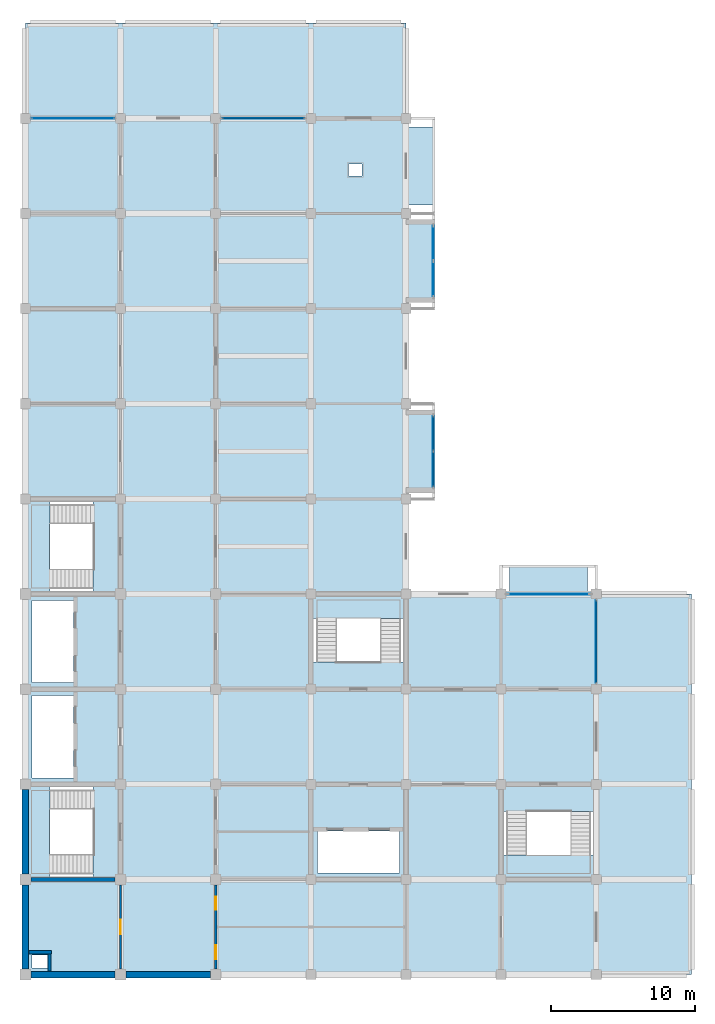
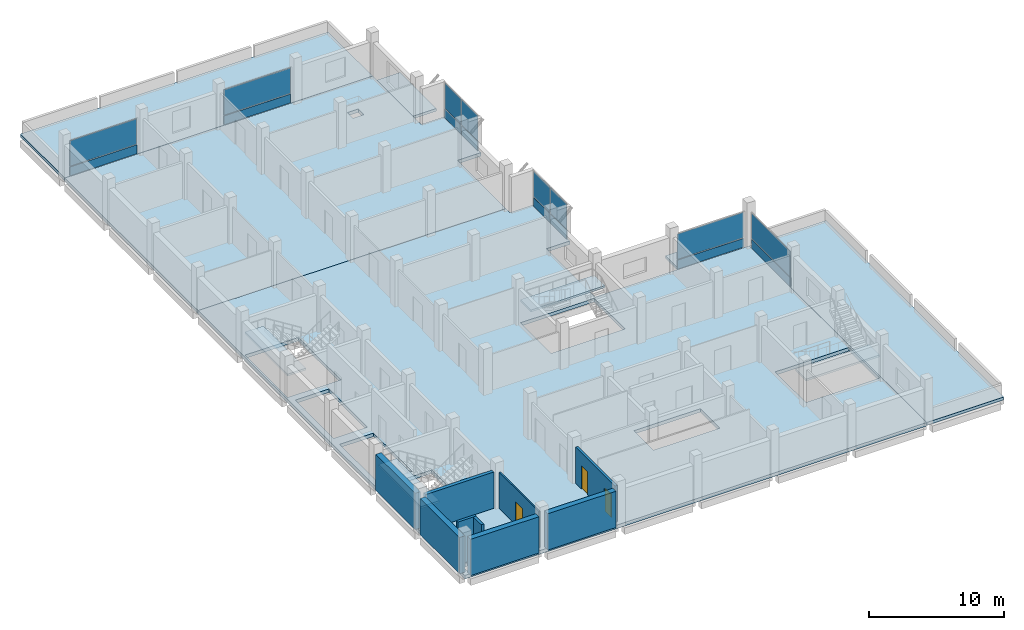
# One storey, part 5 of 10: 16 plates, 10 slabs, 9 walls, 3 doors, 3 openings, 10 elements without a shape of their own.
"""IFC4 building model written with IfcOpenShell, lengths in metres."""

import ifcopenshell
import ifcopenshell.guid

model = None  # the IFC model being written
_history = None  # IfcOwnerHistory: only IFC2X3 demands one
_inside = {}  # id of a spatial element -> (the spatial element, [elements in it])
_under = {}  # id of a project, library or spatial element -> (it, [spatial elements below it])
_declared = {}  # id of a project -> (the project, [libraries it declares])
_typed = {}  # id of a type object -> (the type object, [elements of that type])
_made_of = {}  # id of a material, layer set ... -> (it, [elements and type objects made of it])


def new_model(schema):
    """Start an empty IFC model of exactly this schema.

    Asked for "IFC4X3", IfcOpenShell would pick the latest addendum, in which some entities
    have other attributes; the version numbers below select the first issue.
    IFC2X3 requires an IfcOwnerHistory on every rooted entity: one is made here for all.
    """
    global model, _history
    if schema == "IFC4X3":
        model = ifcopenshell.file(schema_version=(4, 3, 0, 0))
    else:
        model = ifcopenshell.file(schema=schema)
    _inside.clear()
    _under.clear()
    _declared.clear()
    _typed.clear()
    _made_of.clear()
    _history = None
    if model.schema == "IFC2X3":
        org = make("IfcOrganization", Name="unknown")
        user = make(
            "IfcPersonAndOrganization",
            ThePerson=make("IfcPerson", FamilyName="unknown"),
            TheOrganization=org,
        )
        app = make(
            "IfcApplication",
            ApplicationDeveloper=org,
            Version="unknown",
            ApplicationFullName="unknown",
            ApplicationIdentifier="unknown",
        )
        _history = make(
            "IfcOwnerHistory",
            OwningUser=user,
            OwningApplication=app,
            ChangeAction="ADDED",
            CreationDate=0,
        )
    return model


def make(cls, **values):
    """One entity of the class cls with the attributes given. An attribute that is None is left unset."""
    return model.create_entity(
        cls, **{name: value for name, value in values.items() if value is not None}
    )


def rooted(cls, **values):
    """An entity with a GlobalId (a new one), such as an element, a storey or a relation."""
    return make(cls, GlobalId=ifcopenshell.guid.new(), OwnerHistory=_history, **values)


def si_unit(unit_type, name, prefix=None):
    """IfcSIUnit, for example si_unit("LENGTHUNIT", "METRE", prefix="MILLI")."""
    return make("IfcSIUnit", UnitType=unit_type, Prefix=prefix, Name=name)


def assignment(units):
    """IfcUnitAssignment: the units of a project."""
    return None if units is None else make("IfcUnitAssignment", Units=units)


def point(xyz):
    """IfcCartesianPoint."""
    return None if xyz is None else make("IfcCartesianPoint", Coordinates=xyz)


def direction(xyz):
    """IfcDirection."""
    return None if xyz is None else make("IfcDirection", DirectionRatios=xyz)


def frame(location, z_axis=None, x_axis=None):
    """IfcAxis2Placement3D, a coordinate frame: its origin and axes. An axis left out is left unset."""
    return make(
        "IfcAxis2Placement3D",
        Location=point(location),
        Axis=direction(z_axis),
        RefDirection=direction(x_axis),
    )


def frame_2d(location, x_axis=None):
    """IfcAxis2Placement2D, a coordinate frame in the plane: its origin and x axis."""
    return make(
        "IfcAxis2Placement2D", Location=point(location), RefDirection=direction(x_axis)
    )


def origin():
    """The frame at (0, 0, 0) with its axes left unset."""
    return frame((0.0, 0.0, 0.0))


def origin_2d():
    """The frame at (0, 0) in the plane with its x axis left unset."""
    return frame_2d((0.0, 0.0))


def place(relative_to, where):
    """IfcLocalPlacement: puts the frame where relative to a parent placement (None: the world)."""
    return make(
        "IfcLocalPlacement", PlacementRelTo=relative_to, RelativePlacement=where
    )


def context(
    kind, dimensions, precision=None, world=None, true_north=None, identifier=None
):
    """IfcGeometricRepresentationContext, for example the 3D "Model" context."""
    return make(
        "IfcGeometricRepresentationContext",
        ContextIdentifier=identifier,
        ContextType=kind,
        CoordinateSpaceDimension=dimensions,
        Precision=precision,
        WorldCoordinateSystem=world,
        TrueNorth=true_north,
    )


def subcontext(parent, identifier, kind, view, scale=None):
    """IfcGeometricRepresentationSubContext, for example "Body" below "Model"."""
    return make(
        "IfcGeometricRepresentationSubContext",
        ContextIdentifier=identifier,
        ContextType=kind,
        ParentContext=parent,
        TargetScale=scale,
        TargetView=view,
    )


def project(units=None, contexts=None):
    """IfcProject with its units and contexts."""
    return rooted(
        "IfcProject",
        Name="project",
        RepresentationContexts=contexts,
        UnitsInContext=assignment(units),
    )


def spatial(cls, under=None, at=None, **own):
    """A site, building, storey or space (cls), placed at a placement, below another one or the project."""
    s = rooted(cls, ObjectPlacement=at, **own)
    if under is not None:
        _under.setdefault(under.id(), (under, []))[1].append(s)
    return s


def polyline(points):
    """IfcPolyline through the points."""
    return make("IfcPolyline", Points=[point(p) for p in points])


def profile(cls, at=None, kind="AREA", **sizes):
    """A parametric profile (cls). Its sizes go by their IFC names, for example OverallWidth=200.0."""
    return make(cls, ProfileType=kind, Position=at, **sizes)


def rectangle(**sizes):
    """IfcRectangleProfileDef."""
    return profile("IfcRectangleProfileDef", **sizes)


def outline(outer, holes=None, kind="AREA"):
    """IfcArbitraryClosedProfileDef: a profile drawn as a closed curve; with holes, ...WithVoids."""
    if holes is None:
        return make("IfcArbitraryClosedProfileDef", ProfileType=kind, OuterCurve=outer)
    return make(
        "IfcArbitraryProfileDefWithVoids",
        ProfileType=kind,
        OuterCurve=outer,
        InnerCurves=holes,
    )


def extrude(swept, where, along, depth):
    """IfcExtrudedAreaSolid: the profile swept, set in the frame where, extruded along a direction by depth."""
    return make(
        "IfcExtrudedAreaSolid",
        SweptArea=swept,
        Position=where,
        ExtrudedDirection=direction(along),
        Depth=depth,
    )


def shape(context_of_items, identifier, shape_type, items):
    """IfcShapeRepresentation: the items that make up one representation, for example the "Body"."""
    return make(
        "IfcShapeRepresentation",
        ContextOfItems=context_of_items,
        RepresentationIdentifier=identifier,
        RepresentationType=shape_type,
        Items=items,
    )


def material(Name=None, Category=None):
    """IfcMaterial."""
    return make("IfcMaterial", Name=Name, Category=Category)


def layer(
    of_material, thickness, ventilated=None, Name=None, Category=None, Priority=None
):
    """IfcMaterialLayer: one layer of a wall or slab, of a material (None: an air gap)."""
    return make(
        "IfcMaterialLayer",
        Material=of_material,
        LayerThickness=thickness,
        IsVentilated=ventilated,
        Name=Name,
        Category=Category,
        Priority=Priority,
    )


def layer_set(layers, Name=None):
    """IfcMaterialLayerSet."""
    return make("IfcMaterialLayerSet", MaterialLayers=layers, LayerSetName=Name)


def made_of(thing, what):
    """Note that an element or type object is made of a material, layer set ...; save() writes the relation."""
    if what is not None:
        _made_of.setdefault(what.id(), (what, []))[1].append(thing)
    return thing


def type_object(cls, material=None, **own):
    """A type object (cls), such as IfcWallType, which elements share."""
    return made_of(rooted(cls, **own), material)


def element(
    cls,
    number,
    at=None,
    inside=None,
    cuts=None,
    type_object=None,
    material=None,
    context=None,
    identifier="Body",
    shape_type=None,
    held_by="IfcProductDefinitionShape",
    body=None,
    shapes=None,
    **own,
):
    """One element of the class cls, such as IfcWall. Its Tag is "e" and its number.

    at: its placement. inside: the storey or other place that contains it. cuts: it is an
    opening in that element (IfcRelVoidsElement). A single representation is given by context,
    identifier, shape_type and body (its items); several are given by shapes. held_by: the class
    of the entity that holds the representations. save() writes the other relations.
    """
    e = rooted(cls, Tag="e%d" % number, ObjectPlacement=at, **own)
    if body is not None:
        shapes = [shape(context, identifier, shape_type, body)]
    if shapes is not None:
        e.Representation = make(held_by, Representations=shapes)
    if inside is not None:
        _inside.setdefault(inside.id(), (inside, []))[1].append(e)
    if cuts is not None:
        rooted(
            "IfcRelVoidsElement", RelatingBuildingElement=cuts, RelatedOpeningElement=e
        )
    if type_object is not None:
        _typed.setdefault(type_object.id(), (type_object, []))[1].append(e)
    return made_of(e, material)


def fill(opening, filler):
    """IfcRelFillsElement: the door or window that sits in an opening."""
    return rooted(
        "IfcRelFillsElement",
        RelatingOpeningElement=opening,
        RelatedBuildingElement=filler,
    )


def aggregate(whole, parts):
    """IfcRelAggregates: a whole, such as a stair, and the parts it consists of."""
    return rooted("IfcRelAggregates", RelatingObject=whole, RelatedObjects=parts)


def save(model, path):
    """Write the relations noted so far, then the file.

    IfcRelAggregates (storeys below a building ...), IfcRelContainedInSpatialStructure (elements
    in a storey), IfcRelDefinesByType, IfcRelAssociatesMaterial and IfcRelDeclares: one each for
    every whole, place, type object, material and project.
    """
    for whole, parts in _under.values():
        aggregate(whole, parts)
    for where, things in _inside.values():
        rooted(
            "IfcRelContainedInSpatialStructure",
            RelatedElements=things,
            RelatingStructure=where,
        )
    for kind, things in _typed.values():
        rooted("IfcRelDefinesByType", RelatedObjects=things, RelatingType=kind)
    for what, things in _made_of.values():
        rooted("IfcRelAssociatesMaterial", RelatedObjects=things, RelatingMaterial=what)
    for by, libraries in _declared.values():
        rooted("IfcRelDeclares", RelatingContext=by, RelatedDefinitions=libraries)
    model.write(path)


model = new_model("IFC4")

# Units and contexts
model_context = context("Model", 3, precision=1e-05, world=origin(), true_north=direction((0.0, 1.0)))
body_context = subcontext(model_context, "Body", "Model", "MODEL_VIEW")
ifc_project = project(units=[si_unit("LENGTHUNIT", "METRE"), si_unit("AREAUNIT", "SQUARE_METRE"), si_unit("VOLUMEUNIT", "CUBIC_METRE"), si_unit("PLANEANGLEUNIT", "RADIAN"), si_unit("MASSUNIT", "GRAM", prefix="KILO")], contexts=[model_context])

# Site, building, storey
site_placement = place(None, origin())
site = spatial("IfcSite", under=ifc_project, at=site_placement, CompositionType="ELEMENT")
building_placement = place(site_placement, origin())
building = spatial("IfcBuilding", under=site, at=building_placement, Name="Rusizi Kubbe Research Institute", CompositionType="ELEMENT")
storey_placement = place(building_placement, frame((0.0, 0.0, 43.800048828125)))
storey = spatial("IfcBuildingStorey", under=building, at=storey_placement, Name="L10", CompositionType="ELEMENT", Elevation=43.800048828125)

# Curtain wall, plates
ifc_material_1 = material(Name="Thermally Broken Aluminium and Low-E Glazing", Category="aluminium")
curtain_wall_type_1 = type_object("IfcCurtainWallType", Name="CW-04", PredefinedType="NOTDEFINED", material=ifc_material_1)
curtain_wall_1_placement = place(storey_placement, origin())
curtain_wall_1 = element("IfcCurtainWall", 1, at=curtain_wall_1_placement, inside=storey, type_object=curtain_wall_type_1, Name="Cumba Glazed Curtain Wall CW-CUMBA-L10-112", PredefinedType="NOTDEFINED")
ifc_material_2 = material(Name="Double Low-E Solar Control Insulated Glass", Category="glass")
ifc_layer_1 = layer(ifc_material_2, 0.02392578125)
ifc_layer_set_1 = layer_set([ifc_layer_1], Name="Double Low-E Solar Control Insulated Glass")
plate_type_1 = type_object("IfcPlateType", Name="GL-01", PredefinedType="CURTAIN_PANEL", material=ifc_layer_set_1)
plate_1_placement = place(storey_placement, frame((28.300048828125, 48.260009765625, 0.9296875), z_axis=(0.0, 0.0, 1.0), x_axis=(0.0, 1.0, 0.0)))
plate_1 = element("IfcPlate", 2, at=plate_1_placement, type_object=plate_type_1, Name="CW-04 panel 1.2", PredefinedType="CURTAIN_PANEL", context=body_context, shape_type="SweptSolid", body=[
    extrude(rectangle(XDim=2.405029296875, YDim=0.02392578125, at=origin_2d()), origin(), (0.0, 0.0, 1.0), 2.300048828125),
])
plate_2_placement = place(storey_placement, frame((28.300048828125, 50.739990234375, 0.9296875), z_axis=(0.0, 0.0, 1.0), x_axis=(0.0, 1.0, 0.0)))
plate_2 = element("IfcPlate", 3, at=plate_2_placement, type_object=plate_type_1, Name="CW-04 panel 2.2", PredefinedType="CURTAIN_PANEL", context=body_context, shape_type="SweptSolid", body=[
    extrude(rectangle(XDim=2.405029296875, YDim=0.02392578125, at=origin_2d()), origin(), (0.0, 0.0, 1.0), 2.300048828125),
])

# Curtain wall, plate
ifc_material_3 = material(Name="Thermally Broken Aluminium and Low-E Glazing", Category="aluminium")
curtain_wall_type_2 = type_object("IfcCurtainWallType", Name="CW-12", PredefinedType="NOTDEFINED", material=ifc_material_3)
curtain_wall_2_placement = place(storey_placement, origin())
curtain_wall_2 = element("IfcCurtainWall", 4, at=curtain_wall_2_placement, inside=storey, type_object=curtain_wall_type_2, Name="Unitised Facade Curtain Wall CW-L10-H-05-04", PredefinedType="NOTDEFINED")
ifc_material_4 = material(Name="Double Low-E Solar Control Insulated Glass", Category="glass")
ifc_layer_2 = layer(ifc_material_4, 0.028076171875)
ifc_layer_set_2 = layer_set([ifc_layer_2], Name="Double Low-E Solar Control Insulated Glass")
plate_type_2 = type_object("IfcPlateType", Name="GL-02", PredefinedType="CURTAIN_PANEL", material=ifc_layer_set_2)
plate_3_placement = place(storey_placement, frame((36.300048828125, 26.39990234375, 0.9296875), z_axis=(0.0, 0.0, 1.0), x_axis=(1.0, 0.0, 0.0)))
plate_3 = element("IfcPlate", 5, at=plate_3_placement, type_object=plate_type_2, Name="CW-12 panel 1.2", PredefinedType="CURTAIN_PANEL", context=body_context, shape_type="SweptSolid", body=[
    extrude(rectangle(XDim=5.679931640625, YDim=0.028076171875, at=origin_2d()), origin(), (0.0, 0.0, 1.0), 2.300048828125),
])

ifc_material_5 = material(Name="Thermally Broken Aluminium and Low-E Glazing", Category="aluminium")
curtain_wall_type_3 = type_object("IfcCurtainWallType", Name="CW-13", PredefinedType="NOTDEFINED", material=ifc_material_5)
curtain_wall_3_placement = place(storey_placement, origin())
curtain_wall_3 = element("IfcCurtainWall", 6, at=curtain_wall_3_placement, inside=storey, type_object=curtain_wall_type_3, Name="Unitised Facade Curtain Wall CW-L10-V-06-03", PredefinedType="NOTDEFINED")
ifc_material_6 = material(Name="Double Low-E Solar Control Insulated Glass", Category="glass")
ifc_layer_3 = layer(ifc_material_6, 0.031982421875)
ifc_layer_set_3 = layer_set([ifc_layer_3], Name="Double Low-E Solar Control Insulated Glass")
plate_type_3 = type_object("IfcPlateType", Name="GL-03", PredefinedType="CURTAIN_PANEL", material=ifc_layer_set_3)
plate_4_placement = place(storey_placement, frame((39.60009765625, 23.10009765625, 0.932373046875), z_axis=(0.0, 0.0, 1.0), x_axis=(0.0, 1.0, 0.0)))
plate_4 = element("IfcPlate", 7, at=plate_4_placement, type_object=plate_type_3, Name="CW-13 panel 1.2", PredefinedType="CURTAIN_PANEL", context=body_context, shape_type="SweptSolid", body=[
    extrude(rectangle(XDim=5.719970703125, YDim=0.031982421875, at=origin_2d()), origin(), (0.0, 0.0, 1.0), 2.29248046875),
])

curtain_wall_4_placement = place(storey_placement, origin())
curtain_wall_4 = element("IfcCurtainWall", 8, at=curtain_wall_4_placement, inside=storey, type_object=curtain_wall_type_2, Name="Unitised Facade Curtain Wall CW-L10-H-00-09", PredefinedType="NOTDEFINED")
ifc_material_7 = material(Name="Double Low-E Solar Control Insulated Glass", Category="glass")
ifc_layer_4 = layer(ifc_material_7, 0.0439453125)
ifc_layer_set_4 = layer_set([ifc_layer_4], Name="Double Low-E Solar Control Insulated Glass")
plate_type_4 = type_object("IfcPlateType", Name="GL-06", PredefinedType="CURTAIN_PANEL", material=ifc_layer_set_4)
plate_5_placement = place(storey_placement, frame((3.300048828125, 59.39990234375, 0.9296875), z_axis=(0.0, 0.0, 1.0), x_axis=(1.0, 0.0, 0.0)))
plate_5 = element("IfcPlate", 9, at=plate_5_placement, type_object=plate_type_4, Name="CW-12 panel 1.2", PredefinedType="CURTAIN_PANEL", context=body_context, shape_type="SweptSolid", body=[
    extrude(rectangle(XDim=5.719970703125, YDim=0.0439453125, at=origin_2d()), origin(), (0.0, 0.0, 1.0), 2.300048828125),
])

curtain_wall_5_placement = place(storey_placement, origin())
curtain_wall_5 = element("IfcCurtainWall", 10, at=curtain_wall_5_placement, inside=storey, type_object=curtain_wall_type_3, Name="Unitised Facade Curtain Wall CW-L10-H-02-09", PredefinedType="NOTDEFINED")
ifc_material_8 = material(Name="Double Low-E Solar Control Insulated Glass", Category="glass")
ifc_layer_5 = layer(ifc_material_8, 0.048095703125)
ifc_layer_set_5 = layer_set([ifc_layer_5], Name="Double Low-E Solar Control Insulated Glass")
plate_type_5 = type_object("IfcPlateType", Name="GL-07", PredefinedType="CURTAIN_PANEL", material=ifc_layer_set_5)
plate_6_placement = place(storey_placement, frame((16.5, 59.39990234375, 0.932373046875), z_axis=(0.0, 0.0, 1.0), x_axis=(1.0, 0.0, 0.0)))
plate_6 = element("IfcPlate", 11, at=plate_6_placement, type_object=plate_type_5, Name="CW-13 panel 1.2", PredefinedType="CURTAIN_PANEL", context=body_context, shape_type="SweptSolid", body=[
    extrude(rectangle(XDim=5.7099609375, YDim=0.048095703125, at=origin_2d()), origin(), (0.0, 0.0, 1.0), 2.29248046875),
])

# Curtain wall, plates
curtain_wall_6_placement = place(storey_placement, origin())
curtain_wall_6 = element("IfcCurtainWall", 12, at=curtain_wall_6_placement, inside=storey, type_object=curtain_wall_type_1, Name="Cumba Glazed Curtain Wall CW-CUMBA-L10-111", PredefinedType="NOTDEFINED")
ifc_material_9 = material(Name="Double Low-E Solar Control Insulated Glass", Category="glass")
ifc_layer_6 = layer(ifc_material_9, 0.052001953125)
ifc_layer_set_6 = layer_set([ifc_layer_6], Name="Double Low-E Solar Control Insulated Glass")
plate_type_6 = type_object("IfcPlateType", Name="GL-08", PredefinedType="CURTAIN_PANEL", material=ifc_layer_set_6)
plate_7_placement = place(storey_placement, frame((28.300048828125, 35.058837890625, 0.93505859375), z_axis=(0.0, 0.0, 1.0), x_axis=(0.0, 1.0, 0.0)))
plate_7 = element("IfcPlate", 13, at=plate_7_placement, type_object=plate_type_6, Name="CW-04 panel 1.2", PredefinedType="CURTAIN_PANEL", context=body_context, shape_type="SweptSolid", body=[
    extrude(rectangle(XDim=2.41259765625, YDim=0.052001953125, at=origin_2d()), origin(), (0.0, 0.0, 1.0), 2.284912109375),
])
plate_8_placement = place(storey_placement, frame((28.300048828125, 37.541259765625, 0.93505859375), z_axis=(0.0, 0.0, 1.0), x_axis=(0.0, 1.0, 0.0)))
plate_8 = element("IfcPlate", 14, at=plate_8_placement, type_object=plate_type_6, Name="CW-04 panel 2.2", PredefinedType="CURTAIN_PANEL", context=body_context, shape_type="SweptSolid", body=[
    extrude(rectangle(XDim=2.41259765625, YDim=0.052001953125, at=origin_2d()), origin(), (0.0, 0.0, 1.0), 2.284912109375),
])

# Slabs
ifc_material_10 = material(Name="Concrete C40/50", Category="concrete")
ifc_layer_7 = layer(ifc_material_10, 0.31005859375)
ifc_layer_set_7 = layer_set([ifc_layer_7], Name="Concrete C40/50")
slab_type_1 = type_object("IfcSlabType", Name="SL-F310", PredefinedType="FLOOR", material=ifc_layer_set_7)
slab_1_placement = place(storey_placement, frame((0.0, 0.0, -0.31005859375)))
element("IfcSlab", 15, at=slab_1_placement, inside=storey, type_object=slab_type_1, Name="Structural Slab L10 CORE", PredefinedType="FLOOR", context=body_context, shape_type="SweptSolid", body=[
    extrude(outline(polyline([(0.0, 39.60009765625), (6.60009765625, 39.60009765625), (13.199951171875, 39.60009765625), (19.800048828125, 39.60009765625), (26.39990234375, 39.60009765625), (26.39990234375, 39.0), (28.39990234375, 39.0), (28.39990234375, 33.60009765625), (26.39990234375, 33.60009765625), (26.39990234375, 33.0), (26.39990234375, 26.39990234375), (33.0, 26.39990234375), (39.60009765625, 26.39990234375), (39.60009765625, 19.800048828125), (39.60009765625, 13.199951171875), (39.60009765625, 6.60009765625), (39.60009765625, 0.0), (33.0, 0.0), (26.39990234375, 0.0), (19.800048828125, 0.0), (13.199951171875, 0.0), (6.60009765625, 0.0), (0.0, 0.0), (0.0, 6.60009765625), (0.0, 13.199951171875), (0.0, 19.800048828125), (0.0, 26.39990234375), (0.0, 33.0), (0.0, 39.60009765625)]), holes=[polyline([(0.449951171875, 1.35009765625), (0.449951171875, 0.449951171875), (1.550048828125, 0.449951171875), (1.550048828125, 1.35009765625), (0.449951171875, 1.35009765625)]), polyline([(20.25, 9.949951171875), (20.25, 7.050048828125), (25.949951171875, 7.050048828125), (25.949951171875, 9.949951171875), (20.25, 9.949951171875)]), polyline([(33.139892578125, 11.300048828125), (33.139892578125, 6.739990234375), (39.4599609375, 6.739990234375), (39.4599609375, 11.300048828125), (33.139892578125, 11.300048828125)]), polyline([(0.139892578125, 13.06005859375), (0.139892578125, 6.739990234375), (4.699951171875, 6.739990234375), (4.699951171875, 13.06005859375), (0.139892578125, 13.06005859375)]), polyline([(0.449951171875, 19.35009765625), (0.449951171875, 13.64990234375), (3.35009765625, 13.64990234375), (3.35009765625, 19.35009765625), (0.449951171875, 19.35009765625)]), polyline([(0.449951171875, 25.949951171875), (0.449951171875, 20.25), (3.35009765625, 20.25), (3.35009765625, 25.949951171875), (0.449951171875, 25.949951171875)]), polyline([(19.93994140625, 26.260009765625), (19.93994140625, 21.699951171875), (26.260009765625, 21.699951171875), (26.260009765625, 26.260009765625), (19.93994140625, 26.260009765625)]), polyline([(0.139892578125, 32.860107421875), (0.139892578125, 26.5400390625), (4.699951171875, 26.5400390625), (4.699951171875, 32.860107421875), (0.139892578125, 32.860107421875)])]), origin(), (0.0, 0.0, 1.0), 0.31005859375),
])
slab_2_placement = place(storey_placement, frame((0.0, 0.0, -0.31005859375)))
element("IfcSlab", 16, at=slab_2_placement, inside=storey, type_object=slab_type_1, Name="Structural Slab L10 NORTHA", PredefinedType="FLOOR", context=body_context, shape_type="SweptSolid", body=[
    extrude(outline(polyline([(6.60009765625, 59.39990234375), (13.199951171875, 59.39990234375), (19.800048828125, 59.39990234375), (26.39990234375, 59.39990234375), (26.39990234375, 52.800048828125), (26.39990234375, 52.199951171875), (28.39990234375, 52.199951171875), (28.39990234375, 46.800048828125), (26.39990234375, 46.800048828125), (26.39990234375, 46.199951171875), (26.39990234375, 39.60009765625), (19.800048828125, 39.60009765625), (13.199951171875, 39.60009765625), (6.60009765625, 39.60009765625), (0.0, 39.60009765625), (0.0, 46.199951171875), (0.0, 52.800048828125), (0.0, 59.39990234375), (6.60009765625, 59.39990234375)]), holes=[polyline([(23.35009765625, 56.25), (22.39990234375, 56.25), (22.39990234375, 55.39990234375), (23.35009765625, 55.39990234375), (23.35009765625, 56.25)])]), origin(), (0.0, 0.0, 1.0), 0.31005859375),
])

# Stair, slab
ifc_material_11 = material(Name="Concrete C40/50", Category="concrete")
stair_type_1 = type_object("IfcStairType", Name="ST-H420A", PredefinedType="HALF_TURN_STAIR", material=ifc_material_11)
stair_1_placement = place(storey_placement, origin())
stair_1 = element("IfcStair", 17, at=stair_1_placement, inside=storey, type_object=stair_type_1, Name="Protected Exit Stair ST1 (L10)", PredefinedType="HALF_TURN_STAIR")
ifc_material_12 = material(Name="Concrete C40/50", Category="concrete")
ifc_layer_8 = layer(ifc_material_12, 0.179931640625)
ifc_layer_set_8 = layer_set([ifc_layer_8], Name="Concrete C40/50")
slab_type_2 = type_object("IfcSlabType", Name="SL-L180", PredefinedType="LANDING", material=ifc_layer_set_8)
slab_3_placement = place(storey_placement, frame((0.0, 0.0, 1.919921875)))
slab_3 = element("IfcSlab", 18, at=slab_3_placement, type_object=slab_type_2, Name="ST1 landing 1", PredefinedType="LANDING", context=body_context, shape_type="SweptSolid", body=[
    extrude(outline(polyline([(1.7060546875, 13.06005859375), (0.139892578125, 13.06005859375), (0.139892578125, 6.739990234375), (1.7060546875, 6.739990234375), (1.7060546875, 13.06005859375)])), origin(), (0.0, 0.0, 1.0), 0.179931640625),
])
aggregate(stair_1, [slab_3])

stair_2_placement = place(storey_placement, origin())
stair_2 = element("IfcStair", 19, at=stair_2_placement, inside=storey, type_object=stair_type_1, Name="Protected Exit Stair ST2 (L10)", PredefinedType="HALF_TURN_STAIR")
slab_4_placement = place(storey_placement, frame((0.0, 0.0, 1.919921875)))
slab_4 = element("IfcSlab", 20, at=slab_4_placement, type_object=slab_type_2, Name="ST2 landing 1", PredefinedType="LANDING", context=body_context, shape_type="SweptSolid", body=[
    extrude(outline(polyline([(1.7060546875, 32.860107421875), (0.139892578125, 32.860107421875), (0.139892578125, 26.5400390625), (1.7060546875, 26.5400390625), (1.7060546875, 32.860107421875)])), origin(), (0.0, 0.0, 1.0), 0.179931640625),
])
aggregate(stair_2, [slab_4])

ifc_material_13 = material(Name="Concrete C40/50", Category="concrete")
stair_type_2 = type_object("IfcStairType", Name="ST-H420B", PredefinedType="HALF_TURN_STAIR", material=ifc_material_13)
stair_3_placement = place(storey_placement, origin())
stair_3 = element("IfcStair", 21, at=stair_3_placement, inside=storey, type_object=stair_type_2, Name="Protected Exit Stair ST3 (L10)", PredefinedType="HALF_TURN_STAIR")
slab_5_placement = place(storey_placement, frame((0.0, 0.0, 1.919921875)))
slab_5 = element("IfcSlab", 22, at=slab_5_placement, type_object=slab_type_2, Name="ST3 landing 1", PredefinedType="LANDING", context=body_context, shape_type="SweptSolid", body=[
    extrude(outline(polyline([(26.260009765625, 24.694091796875), (26.260009765625, 26.260009765625), (19.93994140625, 26.260009765625), (19.93994140625, 24.694091796875), (26.260009765625, 24.694091796875)])), origin(), (0.0, 0.0, 1.0), 0.179931640625),
])
aggregate(stair_3, [slab_5])

stair_4_placement = place(storey_placement, origin())
stair_4 = element("IfcStair", 23, at=stair_4_placement, inside=storey, type_object=stair_type_2, Name="Protected Exit Stair ST4 (L10)", PredefinedType="HALF_TURN_STAIR")
slab_6_placement = place(storey_placement, frame((0.0, 0.0, 1.919921875)))
slab_6 = element("IfcSlab", 24, at=slab_6_placement, type_object=slab_type_2, Name="ST4 landing 1", PredefinedType="LANDING", context=body_context, shape_type="SweptSolid", body=[
    extrude(outline(polyline([(33.139892578125, 8.305908203125), (33.139892578125, 6.739990234375), (39.4599609375, 6.739990234375), (39.4599609375, 8.305908203125), (33.139892578125, 8.305908203125)])), origin(), (0.0, 0.0, 1.0), 0.179931640625),
])
aggregate(stair_4, [slab_6])

# Slabs
ifc_material_14 = material(Name="Concrete C40/50", Category="concrete")
ifc_layer_9 = layer(ifc_material_14, 0.235107421875)
ifc_layer_set_9 = layer_set([ifc_layer_9], Name="Concrete C40/50")
slab_type_3 = type_object("IfcSlabType", Name="SL-R235", PredefinedType="ROOF", material=ifc_layer_set_9)
slab_7_placement = place(storey_placement, frame((0.0, 0.0, -0.235107421875)))
element("IfcSlab", 25, at=slab_7_placement, inside=storey, type_object=slab_type_3, Name="Cumba Oriel Roof Cap L09 (4,8)", PredefinedType="ROOF", context=body_context, shape_type="SweptSolid", body=[
    extrude(outline(polyline([(26.39990234375, 53.39990234375), (28.39990234375, 53.39990234375), (28.39990234375, 58.800048828125), (26.39990234375, 58.800048828125), (26.39990234375, 53.39990234375)])), origin(), (0.0, 0.0, 1.0), 0.235107421875),
])
slab_8_placement = place(storey_placement, frame((0.0, 0.0, -0.235107421875)))
element("IfcSlab", 26, at=slab_8_placement, inside=storey, type_object=slab_type_3, Name="Cumba Oriel Roof Cap L09 (5,4)", PredefinedType="ROOF", context=body_context, shape_type="SweptSolid", body=[
    extrude(outline(polyline([(33.60009765625, 26.39990234375), (39.0, 26.39990234375), (39.0, 28.39990234375), (33.60009765625, 28.39990234375), (33.60009765625, 26.39990234375)])), origin(), (0.0, 0.0, 1.0), 0.235107421875),
])
ifc_material_15 = material(Name="Concrete C40/50", Category="concrete")
ifc_layer_10 = layer(ifc_material_15, 0.260009765625)
ifc_layer_set_10 = layer_set([ifc_layer_10], Name="Concrete C40/50")
slab_type_4 = type_object("IfcSlabType", Name="SL-R260", PredefinedType="ROOF", material=ifc_layer_set_10)
slab_9_placement = place(storey_placement, frame((0.0, 0.0, -0.260009765625)))
element("IfcSlab", 27, at=slab_9_placement, inside=storey, type_object=slab_type_4, Name="Stepback Maintenance Roof Slab L10-1", PredefinedType="ROOF", context=body_context, shape_type="SweptSolid", body=[
    extrude(outline(polyline([(46.199951171875, 26.39990234375), (46.199951171875, 19.800048828125), (46.199951171875, 13.199951171875), (46.199951171875, 6.60009765625), (46.199951171875, 0.0), (39.60498046875, 0.0), (39.60498046875, 26.39990234375), (46.199951171875, 26.39990234375)])), origin(), (0.0, 0.0, 1.0), 0.260009765625),
])
slab_10_placement = place(storey_placement, frame((0.0, 0.0, -0.260009765625)))
element("IfcSlab", 28, at=slab_10_placement, inside=storey, type_object=slab_type_4, Name="Stepback Maintenance Roof Slab L10-2", PredefinedType="ROOF", context=body_context, shape_type="SweptSolid", body=[
    extrude(outline(polyline([(13.199951171875, 66.0), (19.800048828125, 66.0), (26.39990234375, 66.0), (26.39990234375, 59.405029296875), (0.0, 59.405029296875), (0.0, 66.0), (6.60009765625, 66.0), (13.199951171875, 66.0)])), origin(), (0.0, 0.0, 1.0), 0.260009765625),
])

# Plate
ifc_material_16 = material(Name="Ceramic-Frit Insulated Spandrel Panel", Category="glass")
ifc_layer_11 = layer(ifc_material_16, 0.05810546875)
ifc_layer_set_11 = layer_set([ifc_layer_11], Name="Ceramic-Frit Insulated Spandrel Panel")
plate_type_7 = type_object("IfcPlateType", Name="SP-01", PredefinedType="CURTAIN_PANEL", material=ifc_layer_set_11)
plate_9_placement = place(storey_placement, frame((28.300048828125, 48.260009765625, 0.059814453125), z_axis=(0.0, 0.0, 1.0), x_axis=(0.0, 1.0, 0.0)))
plate_9 = element("IfcPlate", 29, at=plate_9_placement, type_object=plate_type_7, Name="CW-04 panel 1.1", PredefinedType="CURTAIN_PANEL", context=body_context, shape_type="SweptSolid", body=[
    extrude(rectangle(XDim=2.405029296875, YDim=0.05810546875, at=origin_2d()), origin(), (0.0, 0.0, 1.0), 0.81005859375),
])

plate_10_placement = place(storey_placement, frame((28.300048828125, 50.739990234375, 0.059814453125), z_axis=(0.0, 0.0, 1.0), x_axis=(0.0, 1.0, 0.0)))
plate_10 = element("IfcPlate", 30, at=plate_10_placement, type_object=plate_type_7, Name="CW-04 panel 2.1", PredefinedType="CURTAIN_PANEL", context=body_context, shape_type="SweptSolid", body=[
    extrude(rectangle(XDim=2.405029296875, YDim=0.05810546875, at=origin_2d()), origin(), (0.0, 0.0, 1.0), 0.81005859375),
])

aggregate(curtain_wall_1, [plate_9, plate_1, plate_10, plate_2])

ifc_material_17 = material(Name="Ceramic-Frit Insulated Spandrel Panel", Category="glass")
ifc_layer_12 = layer(ifc_material_17, 0.06396484375)
ifc_layer_set_12 = layer_set([ifc_layer_12], Name="Ceramic-Frit Insulated Spandrel Panel")
plate_type_8 = type_object("IfcPlateType", Name="SP-02", PredefinedType="CURTAIN_PANEL", material=ifc_layer_set_12)
plate_11_placement = place(storey_placement, frame((3.300048828125, 59.39990234375, 0.059814453125), z_axis=(0.0, 0.0, 1.0), x_axis=(1.0, 0.0, 0.0)))
plate_11 = element("IfcPlate", 31, at=plate_11_placement, type_object=plate_type_8, Name="CW-12 panel 1.1", PredefinedType="CURTAIN_PANEL", context=body_context, shape_type="SweptSolid", body=[
    extrude(rectangle(XDim=5.719970703125, YDim=0.06396484375, at=origin_2d()), origin(), (0.0, 0.0, 1.0), 0.81005859375),
])

aggregate(curtain_wall_4, [plate_11, plate_5])

plate_12_placement = place(storey_placement, frame((36.300048828125, 26.39990234375, 0.059814453125), z_axis=(0.0, 0.0, 1.0), x_axis=(1.0, 0.0, 0.0)))
plate_12 = element("IfcPlate", 32, at=plate_12_placement, type_object=plate_type_8, Name="CW-12 panel 1.1", PredefinedType="CURTAIN_PANEL", context=body_context, shape_type="SweptSolid", body=[
    extrude(rectangle(XDim=5.679931640625, YDim=0.06396484375, at=origin_2d()), origin(), (0.0, 0.0, 1.0), 0.81005859375),
])

aggregate(curtain_wall_2, [plate_12, plate_3])

ifc_material_18 = material(Name="Ceramic-Frit Insulated Spandrel Panel", Category="glass")
ifc_layer_13 = layer(ifc_material_18, 0.070068359375)
ifc_layer_set_13 = layer_set([ifc_layer_13], Name="Ceramic-Frit Insulated Spandrel Panel")
plate_type_9 = type_object("IfcPlateType", Name="SP-03", PredefinedType="CURTAIN_PANEL", material=ifc_layer_set_13)
plate_13_placement = place(storey_placement, frame((16.5, 59.39990234375, 0.06494140625), z_axis=(0.0, 0.0, 1.0), x_axis=(1.0, 0.0, 0.0)))
plate_13 = element("IfcPlate", 33, at=plate_13_placement, type_object=plate_type_9, Name="CW-13 panel 1.1", PredefinedType="CURTAIN_PANEL", context=body_context, shape_type="SweptSolid", body=[
    extrude(rectangle(XDim=5.7099609375, YDim=0.070068359375, at=origin_2d()), origin(), (0.0, 0.0, 1.0), 0.802490234375),
])

aggregate(curtain_wall_5, [plate_13, plate_6])

plate_14_placement = place(storey_placement, frame((39.60009765625, 23.10009765625, 0.06494140625), z_axis=(0.0, 0.0, 1.0), x_axis=(0.0, 1.0, 0.0)))
plate_14 = element("IfcPlate", 34, at=plate_14_placement, type_object=plate_type_9, Name="CW-13 panel 1.1", PredefinedType="CURTAIN_PANEL", context=body_context, shape_type="SweptSolid", body=[
    extrude(rectangle(XDim=5.719970703125, YDim=0.070068359375, at=origin_2d()), origin(), (0.0, 0.0, 1.0), 0.802490234375),
])

aggregate(curtain_wall_3, [plate_14, plate_4])

ifc_material_19 = material(Name="Ceramic-Frit Insulated Spandrel Panel", Category="glass")
ifc_layer_14 = layer(ifc_material_19, 0.075927734375)
ifc_layer_set_14 = layer_set([ifc_layer_14], Name="Ceramic-Frit Insulated Spandrel Panel")
plate_type_10 = type_object("IfcPlateType", Name="SP-04", PredefinedType="CURTAIN_PANEL", material=ifc_layer_set_14)
plate_15_placement = place(storey_placement, frame((28.300048828125, 35.058837890625, 0.070068359375), z_axis=(0.0, 0.0, 1.0), x_axis=(0.0, 1.0, 0.0)))
plate_15 = element("IfcPlate", 35, at=plate_15_placement, type_object=plate_type_10, Name="CW-04 panel 1.1", PredefinedType="CURTAIN_PANEL", context=body_context, shape_type="SweptSolid", body=[
    extrude(rectangle(XDim=2.41259765625, YDim=0.075927734375, at=origin_2d()), origin(), (0.0, 0.0, 1.0), 0.794921875),
])

plate_16_placement = place(storey_placement, frame((28.300048828125, 37.541259765625, 0.070068359375), z_axis=(0.0, 0.0, 1.0), x_axis=(0.0, 1.0, 0.0)))
plate_16 = element("IfcPlate", 36, at=plate_16_placement, type_object=plate_type_10, Name="CW-04 panel 2.1", PredefinedType="CURTAIN_PANEL", context=body_context, shape_type="SweptSolid", body=[
    extrude(rectangle(XDim=2.41259765625, YDim=0.075927734375, at=origin_2d()), origin(), (0.0, 0.0, 1.0), 0.794921875),
])

aggregate(curtain_wall_6, [plate_15, plate_7, plate_16, plate_8])

# Walls
ifc_material_20 = material(Name="Concrete C40/50", Category="concrete")
ifc_layer_15 = layer(ifc_material_20, 0.294921875)
ifc_layer_set_15 = layer_set([ifc_layer_15], Name="Concrete C40/50")
wall_type_1 = type_object("IfcWallType", Name="CRW-03", PredefinedType="SHEAR", material=ifc_layer_set_15)
wall_1_placement = place(storey_placement, frame((0.375, 6.60009765625, 0.0), z_axis=(0.0, 0.0, 1.0), x_axis=(1.0, 0.0, 0.0)))
element("IfcWall", 37, at=wall_1_placement, inside=storey, type_object=wall_type_1, Name="Stair Core Shear Wall ST1 L10 S", PredefinedType="SHEAR", context=body_context, shape_type="SweptSolid", body=[
    extrude(rectangle(XDim=5.85009765625, YDim=0.294921875, at=frame_2d((2.925048828125, 0.0))), origin(), (0.0, 0.0, 1.0), 3.2900390625),
])
ifc_material_21 = material(Name="Concrete Blockwork Fire Partition", Category="masonry")
ifc_layer_16 = layer(ifc_material_21, 0.22509765625)
ifc_layer_set_16 = layer_set([ifc_layer_16], Name="Concrete Blockwork Fire Partition")
wall_type_2 = type_object("IfcWallType", Name="IW-01", PredefinedType="PARTITIONING", material=ifc_layer_set_16)
wall_2_placement = place(storey_placement, frame((1.679931640625, 0.260009765625, 0.0), z_axis=(0.0, 0.0, 1.0), x_axis=(0.0, 1.0, 0.0)))
element("IfcWall", 38, at=wall_2_placement, inside=storey, type_object=wall_type_2, Name="Riser Shaft Wall E L10", PredefinedType="PARTITIONING", context=body_context, shape_type="SweptSolid", body=[
    extrude(rectangle(XDim=1.169921875, YDim=0.22509765625, at=frame_2d((0.5849609375, 0.0))), origin(), (0.0, 0.0, 1.0), 3.889892578125),
])
wall_3_placement = place(storey_placement, frame((0.260009765625, 1.550048828125, 0.0), z_axis=(0.0, 0.0, 1.0), x_axis=(1.0, 0.0, 0.0)))
element("IfcWall", 39, at=wall_3_placement, inside=storey, type_object=wall_type_2, Name="Riser Shaft Wall N L10", PredefinedType="PARTITIONING", context=body_context, shape_type="SweptSolid", body=[
    extrude(rectangle(XDim=1.5400390625, YDim=0.22509765625, at=frame_2d((0.77001953125, 0.0))), origin(), (0.0, 0.0, 1.0), 3.889892578125),
])

# Wall, openings, doors
ifc_material_22 = material(Name="Insulated Cleanroom Partition", Category="masonry")
ifc_layer_17 = layer(ifc_material_22, 0.195068359375)
ifc_layer_set_17 = layer_set([ifc_layer_17], Name="Insulated Cleanroom Partition")
wall_type_3 = type_object("IfcWallType", Name="IW-02", PredefinedType="PARTITIONING", material=ifc_layer_set_17)
wall_4_placement = place(storey_placement, frame((13.199951171875, 0.375, 0.0), z_axis=(0.0, 0.0, 1.0), x_axis=(0.0, 1.0, 0.0)))
wall_4 = element("IfcWall", 40, at=wall_4_placement, inside=storey, type_object=wall_type_3, Name="Sanitary Core West Corridor Wall L10", PredefinedType="PARTITIONING", context=body_context, shape_type="SweptSolid", body=[
    extrude(rectangle(XDim=5.85009765625, YDim=0.195068359375, at=frame_2d((2.925048828125, 0.0))), origin(), (0.0, 0.0, 1.0), 3.2900390625),
])
opening_1_placement = place(wall_4_placement, frame((0.699951171875, 0.0, 0.0)))
opening_1 = element("IfcOpeningElement", 41, at=opening_1_placement, cuts=wall_4, Name="Opening D-06", PredefinedType="OPENING", context=body_context, shape_type="SweptSolid", body=[
    extrude(rectangle(XDim=0.949951171875, YDim=2.10009765625, at=frame_2d((0.47509765625, 1.050048828125))), frame((0.0, 0.107421875, 0.0), z_axis=(0.0, -1.0, 0.0), x_axis=(1.0, 0.0, 0.0)), (0.0, 0.0, 1.0), 0.215087890625),
])
opening_2_placement = place(wall_4_placement, frame((4.125, 0.0, 0.0)))
opening_2 = element("IfcOpeningElement", 42, at=opening_2_placement, cuts=wall_4, Name="Opening D-05", PredefinedType="OPENING", context=body_context, shape_type="SweptSolid", body=[
    extrude(rectangle(XDim=0.89990234375, YDim=2.10009765625, at=frame_2d((0.449951171875, 1.050048828125))), frame((0.0, 0.107421875, 0.0), z_axis=(0.0, -1.0, 0.0), x_axis=(1.0, 0.0, 0.0)), (0.0, 0.0, 1.0), 0.215087890625),
])
ifc_material_23 = material(Name="Fire-Rated Steel Frame and Acoustic Timber Leaf", Category="wood")
door_type_1 = type_object("IfcDoorType", Name="ID-WC-900", OperationType="NOTDEFINED", PredefinedType="DOOR", material=ifc_material_23)
door_1_placement = place(opening_2_placement, origin())
door_1 = element("IfcDoor", 43, at=door_1_placement, inside=storey, type_object=door_type_1, Name="Door to Female Toilet Room (L10-WC-F)", OperationType="SINGLE_SWING_LEFT", OverallHeight=2.10009765625, OverallWidth=0.89990234375, PredefinedType="DOOR", context=body_context, shape_type="SweptSolid", body=[
    extrude(rectangle(XDim=0.89990234375, YDim=2.10009765625, at=frame_2d((0.449951171875, 1.050048828125))), frame((0.0, 0.02490234375, 0.0), z_axis=(0.0, -1.0, 0.0), x_axis=(1.0, 0.0, 0.0)), (0.0, 0.0, 1.0), 0.050048828125),
])
fill(opening_2, door_1)
ifc_material_24 = material(Name="Fire-Rated Steel Frame and Acoustic Timber Leaf", Category="wood")
door_type_2 = type_object("IfcDoorType", Name="ID-WC-950", OperationType="NOTDEFINED", PredefinedType="DOOR", material=ifc_material_24)
door_2_placement = place(opening_1_placement, origin())
door_2 = element("IfcDoor", 44, at=door_2_placement, inside=storey, type_object=door_type_2, Name="Door to Male Toilet Room (L10-WC-M)", OperationType="SINGLE_SWING_RIGHT", OverallHeight=2.10009765625, OverallWidth=0.949951171875, PredefinedType="DOOR", context=body_context, shape_type="SweptSolid", body=[
    extrude(rectangle(XDim=0.949951171875, YDim=2.10009765625, at=frame_2d((0.47509765625, 1.050048828125))), frame((0.0, 0.02490234375, 0.0), z_axis=(0.0, -1.0, 0.0), x_axis=(1.0, 0.0, 0.0)), (0.0, 0.0, 1.0), 0.050048828125),
])
fill(opening_1, door_2)

# Wall, opening, door
ifc_material_25 = material(Name="Sub-Suite Fire Partition", Category="masonry")
ifc_layer_18 = layer(ifc_material_25, 0.110107421875)
ifc_layer_set_18 = layer_set([ifc_layer_18], Name="Sub-Suite Fire Partition")
wall_type_4 = type_object("IfcWallType", Name="IW-07", PredefinedType="PARTITIONING", material=ifc_layer_set_18)
wall_5_placement = place(storey_placement, frame((6.60009765625, 0.375, 0.0), z_axis=(0.0, 0.0, 1.0), x_axis=(0.0, 1.0, 0.0)))
wall_5 = element("IfcWall", 45, at=wall_5_placement, inside=storey, type_object=wall_type_4, Name="Interior Partition Wall L10 V1-0", PredefinedType="PARTITIONING", context=body_context, shape_type="SweptSolid", body=[
    extrude(rectangle(XDim=5.85009765625, YDim=0.110107421875, at=frame_2d((2.925048828125, 0.0))), origin(), (0.0, 0.0, 1.0), 3.2900390625),
])
opening_3_placement = place(wall_5_placement, frame((2.425048828125, 0.0, 0.0)))
opening_3 = element("IfcOpeningElement", 46, at=opening_3_placement, cuts=wall_5, Name="Opening D-04", PredefinedType="OPENING", context=body_context, shape_type="SweptSolid", body=[
    extrude(rectangle(XDim=1.0, YDim=2.10009765625, at=frame_2d((0.5, 1.050048828125))), frame((0.0, 0.06494140625, 0.0), z_axis=(0.0, -1.0, 0.0), x_axis=(1.0, 0.0, 0.0)), (0.0, 0.0, 1.0), 0.130126953125),
])
ifc_material_26 = material(Name="Fire-Rated Steel Frame and Acoustic Timber Leaf", Category="wood")
door_type_3 = type_object("IfcDoorType", Name="ID-MEP-100", OperationType="NOTDEFINED", PredefinedType="DOOR", material=ifc_material_26)
door_3_placement = place(opening_3_placement, origin())
door_3 = element("IfcDoor", 47, at=door_3_placement, inside=storey, type_object=door_type_3, Name="Door to Service Spine Utility Riser Room (L10-MEP-01)", OperationType="SINGLE_SWING_RIGHT", OverallHeight=2.10009765625, OverallWidth=1.0, PredefinedType="DOOR", context=body_context, shape_type="SweptSolid", body=[
    extrude(rectangle(XDim=1.0, YDim=2.10009765625, at=frame_2d((0.5, 1.050048828125))), frame((0.0, 0.02490234375, 0.0), z_axis=(0.0, -1.0, 0.0), x_axis=(1.0, 0.0, 0.0)), (0.0, 0.0, 1.0), 0.050048828125),
])
fill(opening_3, door_3)

# Walls
ifc_material_27 = material(Name="Concrete C40/50", Category="concrete")
ifc_layer_19 = layer(ifc_material_27, 0.4599609375)
ifc_layer_set_19 = layer_set([ifc_layer_19], Name="Concrete C40/50")
wall_type_5 = type_object("IfcWallType", Name="PW-02", PredefinedType="SOLIDWALL", material=ifc_layer_set_19)
for number, where, z_axis, x_axis, name in (
    (48, (0.375, 0.0, 0.0), (0.0, 0.0, 1.0), (1.0, 0.0, 0.0), "Blind Party Wall L10 H0-0"),
    (49, (0.0, 0.375, 0.0), (0.0, 0.0, 1.0), (0.0, 1.0, 0.0), "Blind Party Wall L10 V0-0"),
):
    element("IfcWall", number, at=place(storey_placement, frame(where, z_axis=z_axis, x_axis=x_axis)), inside=storey, type_object=wall_type_5, Name=name, PredefinedType="SOLIDWALL", context=body_context, shape_type="SweptSolid", body=[
        extrude(rectangle(XDim=5.85009765625, YDim=0.4599609375, at=frame_2d((2.925048828125, 0.0))), origin(), (0.0, 0.0, 1.0), 3.2900390625),
    ])
for number, where, z_axis, x_axis, name in (
    (50, (0.0, 6.97509765625, 0.0), (0.0, 0.0, 1.0), (0.0, 1.0, 0.0), "Blind Party Wall L10 V0-1"),
    (51, (6.97509765625, 0.0, 0.0), (0.0, 0.0, 1.0), (1.0, 0.0, 0.0), "Blind Party Wall L10 H1-0"),
):
    element("IfcWall", number, at=place(storey_placement, frame(where, z_axis=z_axis, x_axis=x_axis)), inside=storey, type_object=wall_type_5, Name=name, PredefinedType="SOLIDWALL", context=body_context, shape_type="SweptSolid", body=[
        extrude(rectangle(XDim=5.849853515625, YDim=0.4599609375, at=frame_2d((2.9248046875, 0.0))), origin(), (0.0, 0.0, 1.0), 3.2900390625),
    ])

save(model, "model.ifc")
